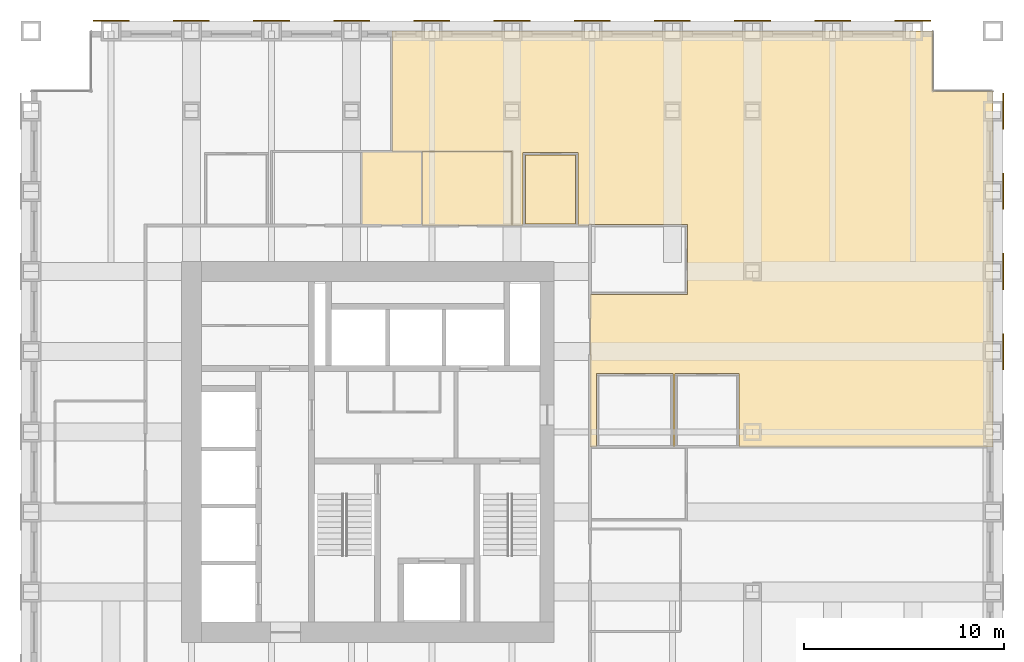
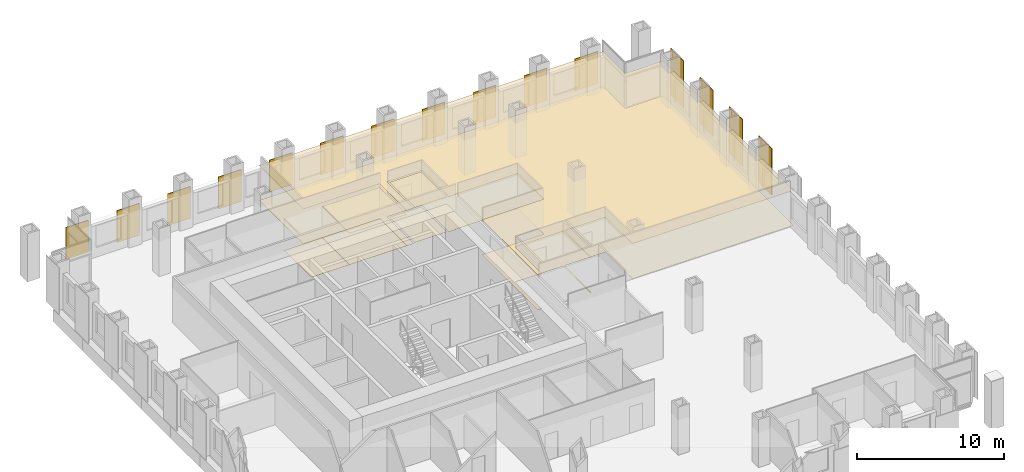
# One storey, part 17 of 17: 15 shading devices, 7 coverings.
"""IFC4 building model written with IfcOpenShell, lengths in metres."""

from ifc_helpers import new_model, si_unit, direction, frame, origin, origin_2d, place, context, subcontext, project, spatial, polyline, rectangle, outline, extrude, material, layer, layer_set, type_object, element, save


model = new_model("IFC4")

# Units and contexts
model_context = context("Model", 3, precision=1e-05, world=origin(), true_north=direction((0.0, 1.0)))
body_context = subcontext(model_context, "Body", "Model", "MODEL_VIEW")
ifc_project = project(units=[si_unit("LENGTHUNIT", "METRE"), si_unit("AREAUNIT", "SQUARE_METRE"), si_unit("VOLUMEUNIT", "CUBIC_METRE"), si_unit("PLANEANGLEUNIT", "RADIAN"), si_unit("MASSUNIT", "GRAM", prefix="KILO")], contexts=[model_context])

# Site, building, storey
site_placement = place(None, origin())
site = spatial("IfcSite", under=ifc_project, at=site_placement, CompositionType="ELEMENT")
building_placement = place(site_placement, origin())
building = spatial("IfcBuilding", under=site, at=building_placement, Name="Rimbunsela Tower", CompositionType="ELEMENT")
storey_placement = place(building_placement, frame((0.0, 0.0, 101.39990234375)))
storey = spatial("IfcBuildingStorey", under=building, at=storey_placement, Name="L24", CompositionType="ELEMENT", Elevation=101.39990234375)

# Coverings
ifc_material_1 = material(Name="Nylon carpet tile", Category="textile")
ifc_layer_1 = layer(ifc_material_1, 0.010009765625)
ifc_layer_set_1 = layer_set([ifc_layer_1], Name="Carpet tile 10")
covering_type_1 = type_object("IfcCoveringType", Name="Carpet tile 10", PredefinedType="FLOORING", material=ifc_layer_set_1)
covering_1_placement = place(storey_placement, origin())
element("IfcCovering", 1, at=covering_1_placement, inside=storey, type_object=covering_type_1, Name="Floor finish Open office", PredefinedType="FLOORING", context=body_context, shape_type="SweptSolid", body=[
    extrude(outline(polyline([(58.0, 27.2509765625), (45.324951171875, 27.2509765625), (45.324951171875, 30.89990234375), (42.125, 30.89990234375), (42.125, 27.2509765625), (42.02490234375, 27.2509765625), (42.02490234375, 30.89990234375), (38.22509765625, 30.89990234375), (38.22509765625, 27.2509765625), (37.89990234375, 27.2509765625), (37.89990234375, 34.85009765625), (42.75, 34.85009765625), (42.75, 38.35009765625), (37.89990234375, 38.35009765625), (37.85009765625, 38.35009765625), (37.85009765625, 38.300048828125), (37.300048828125, 38.300048828125), (37.300048828125, 41.949951171875), (34.550048828125, 41.949951171875), (34.550048828125, 38.300048828125), (34.0, 38.300048828125), (34.0, 42.0), (28.0009765625, 42.0), (28.0009765625, 48.0), (37.89990234375, 48.0), (55.0, 48.0), (55.0, 45.0), (58.0, 45.0), (58.0, 27.2509765625)])), origin(), (0.0, 0.0, 1.0), 0.010009765625),
])
covering_2_placement = place(storey_placement, origin())
element("IfcCovering", 2, at=covering_2_placement, inside=storey, type_object=covering_type_1, Name="Floor finish Print and copy room", PredefinedType="FLOORING", context=body_context, shape_type="SweptSolid", body=[
    extrude(outline(polyline([(37.175048828125, 38.375), (37.175048828125, 41.824951171875), (34.675048828125, 41.824951171875), (34.675048828125, 38.375), (37.175048828125, 38.375)])), origin(), (0.0, 0.0, 1.0), 0.010009765625),
])
ifc_material_2 = material(Name="Mineral fibre ceiling tile", Category="gypsum")
ifc_layer_2 = layer(ifc_material_2, 0.02001953125)
ifc_layer_set_2 = layer_set([ifc_layer_2], Name="Ceiling 600 grid")
covering_type_2 = type_object("IfcCoveringType", Name="Ceiling 600 grid", PredefinedType="CEILING", material=ifc_layer_set_2)
covering_3_placement = place(storey_placement, frame((0.0, 0.0, 2.900146484375)))
element("IfcCovering", 3, at=covering_3_placement, inside=storey, type_object=covering_type_2, Name="Ceiling Open office", PredefinedType="CEILING", context=body_context, shape_type="SweptSolid", body=[
    extrude(outline(polyline([(58.0, 27.2509765625), (45.324951171875, 27.2509765625), (45.324951171875, 30.89990234375), (42.125, 30.89990234375), (42.125, 27.2509765625), (42.02490234375, 27.2509765625), (42.02490234375, 30.89990234375), (38.22509765625, 30.89990234375), (38.22509765625, 27.2509765625), (37.89990234375, 27.2509765625), (37.89990234375, 34.85009765625), (42.75, 34.85009765625), (42.75, 38.35009765625), (37.89990234375, 38.35009765625), (37.85009765625, 38.35009765625), (37.85009765625, 38.300048828125), (37.300048828125, 38.300048828125), (37.300048828125, 41.949951171875), (34.550048828125, 41.949951171875), (34.550048828125, 38.300048828125), (34.0, 38.300048828125), (34.0, 42.0), (28.0009765625, 42.0), (28.0009765625, 48.0), (37.89990234375, 48.0), (55.0, 48.0), (55.0, 45.0), (58.0, 45.0), (58.0, 27.2509765625)])), origin(), (0.0, 0.0, 1.0), 0.02001953125),
])
covering_4_placement = place(storey_placement, frame((0.0, 0.0, 2.900146484375)))
element("IfcCovering", 4, at=covering_4_placement, inside=storey, type_object=covering_type_2, Name="Ceiling Print and copy room", PredefinedType="CEILING", context=body_context, shape_type="SweptSolid", body=[
    extrude(outline(polyline([(37.175048828125, 38.375), (37.175048828125, 41.824951171875), (34.675048828125, 41.824951171875), (34.675048828125, 38.375), (37.175048828125, 38.375)])), origin(), (0.0, 0.0, 1.0), 0.02001953125),
])
ifc_material_3 = material(Name="Moisture-resistant plasterboard ceiling", Category="gypsum")
ifc_layer_3 = layer(ifc_material_3, 0.012451171875)
ifc_layer_set_3 = layer_set([ifc_layer_3], Name="Ceiling moisture-resistant board")
covering_type_3 = type_object("IfcCoveringType", Name="Ceiling moisture-resistant board", PredefinedType="CEILING", material=ifc_layer_set_3)
covering_5_placement = place(storey_placement, frame((0.0, 0.0, 2.60009765625)))
element("IfcCovering", 5, at=covering_5_placement, inside=storey, type_object=covering_type_3, Name="Ceiling Male WC", PredefinedType="CEILING", context=body_context, shape_type="SweptSolid", body=[
    extrude(outline(polyline([(34.0, 38.300048828125), (34.0, 42.0), (29.5, 42.0), (29.5, 38.300048828125), (34.0, 38.300048828125)])), origin(), (0.0, 0.0, 1.0), 0.02001953125),
])
ifc_material_4 = material(Name="Porcelain floor tile in adhesive bed", Category="ceramic")
ifc_layer_4 = layer(ifc_material_4, 0.02001953125)
ifc_layer_set_4 = layer_set([ifc_layer_4], Name="Porcelain tile 20")
covering_type_4 = type_object("IfcCoveringType", Name="Porcelain tile 20", PredefinedType="FLOORING", material=ifc_layer_set_4)
covering_6_placement = place(storey_placement, origin())
element("IfcCovering", 6, at=covering_6_placement, inside=storey, type_object=covering_type_4, Name="Floor finish Accessible WC", PredefinedType="FLOORING", context=body_context, shape_type="SweptSolid", body=[
    extrude(outline(polyline([(29.5, 38.300048828125), (29.5, 42.0), (26.5, 42.0), (26.5, 38.300048828125), (29.5, 38.300048828125)])), origin(), (0.0, 0.0, 1.0), 0.02001953125),
])
covering_7_placement = place(storey_placement, origin())
element("IfcCovering", 7, at=covering_7_placement, inside=storey, type_object=covering_type_4, Name="Floor finish Male WC", PredefinedType="FLOORING", context=body_context, shape_type="SweptSolid", body=[
    extrude(outline(polyline([(34.0, 38.300048828125), (34.0, 42.0), (29.5, 42.0), (29.5, 38.300048828125), (34.0, 38.300048828125)])), origin(), (0.0, 0.0, 1.0), 0.02001953125),
])

# Shading devices
ifc_material_5 = material(Name="Perforated aluminium, 35 % open area", Category="aluminium")
ifc_layer_5 = layer(ifc_material_5, 0.050048828125)
ifc_layer_set_5 = layer_set([ifc_layer_5], Name="Solar screen panel 1800")
shading_device_type = type_object("IfcShadingDeviceType", Name="Solar screen panel 1800", PredefinedType="USERDEFINED", material=ifc_layer_set_5)
for number, where, z_axis, x_axis, name in (
    (8, (58.52490234375, 32.0, 0.0), (0.0, 0.0, 1.0), (0.0, 1.0, 0.0), "Solar screen E L24"),
    (9, (58.52490234375, 36.0, 0.0), (0.0, 0.0, 1.0), (0.0, 1.0, 0.0), "Solar screen E L24"),
    (10, (58.52490234375, 40.0, 0.0), (0.0, 0.0, 1.0), (0.0, 1.0, 0.0), "Solar screen E L24"),
    (11, (58.52490234375, 44.0, 0.0), (0.0, 0.0, 1.0), (0.0, 1.0, 0.0), "Solar screen E L24"),
):
    element("IfcShadingDevice", number, at=place(storey_placement, frame(where, z_axis=z_axis, x_axis=x_axis)), inside=storey, type_object=shading_device_type, Name=name, ObjectType="SCREEN", PredefinedType="USERDEFINED", context=body_context, shape_type="SweptSolid", body=[
        extrude(rectangle(XDim=1.800048828125, YDim=0.050048828125, at=origin_2d()), origin(), (0.0, 0.0, 1.0), 3.85009765625),
    ])
for number, where, z_axis, x_axis, name in (
    (12, (14.0, 48.52490234375, 0.000244140625), (0.0, 0.0, 1.0), (1.0, 0.0, 0.0), "Solar screen N L24"),
    (13, (18.0, 48.52490234375, 0.000244140625), (0.0, 0.0, 1.0), (1.0, 0.0, 0.0), "Solar screen N L24"),
    (14, (22.0, 48.52490234375, 0.000244140625), (0.0, 0.0, 1.0), (1.0, 0.0, 0.0), "Solar screen N L24"),
    (15, (26.0, 48.52490234375, 0.000244140625), (0.0, 0.0, 1.0), (1.0, 0.0, 0.0), "Solar screen N L24"),
    (16, (30.0, 48.52490234375, 0.000244140625), (0.0, 0.0, 1.0), (1.0, 0.0, 0.0), "Solar screen N L24"),
    (17, (34.0, 48.52490234375, 0.000244140625), (0.0, 0.0, 1.0), (1.0, 0.0, 0.0), "Solar screen N L24"),
    (18, (38.0, 48.52490234375, 0.000244140625), (0.0, 0.0, 1.0), (1.0, 0.0, 0.0), "Solar screen N L24"),
    (19, (42.0, 48.52490234375, 0.000244140625), (0.0, 0.0, 1.0), (1.0, 0.0, 0.0), "Solar screen N L24"),
    (20, (46.0, 48.52490234375, 0.000244140625), (0.0, 0.0, 1.0), (1.0, 0.0, 0.0), "Solar screen N L24"),
    (21, (50.0, 48.52490234375, 0.000244140625), (0.0, 0.0, 1.0), (1.0, 0.0, 0.0), "Solar screen N L24"),
    (22, (54.0, 48.52490234375, 0.000244140625), (0.0, 0.0, 1.0), (1.0, 0.0, 0.0), "Solar screen N L24"),
):
    element("IfcShadingDevice", number, at=place(storey_placement, frame(where, z_axis=z_axis, x_axis=x_axis)), inside=storey, type_object=shading_device_type, Name=name, ObjectType="SCREEN", PredefinedType="USERDEFINED", context=body_context, shape_type="SweptSolid", body=[
        extrude(rectangle(XDim=1.800048828125, YDim=0.050048828125, at=origin_2d()), origin(), (0.0, 0.0, 1.0), 2.64990234375),
    ])

save(model, "model.ifc")
